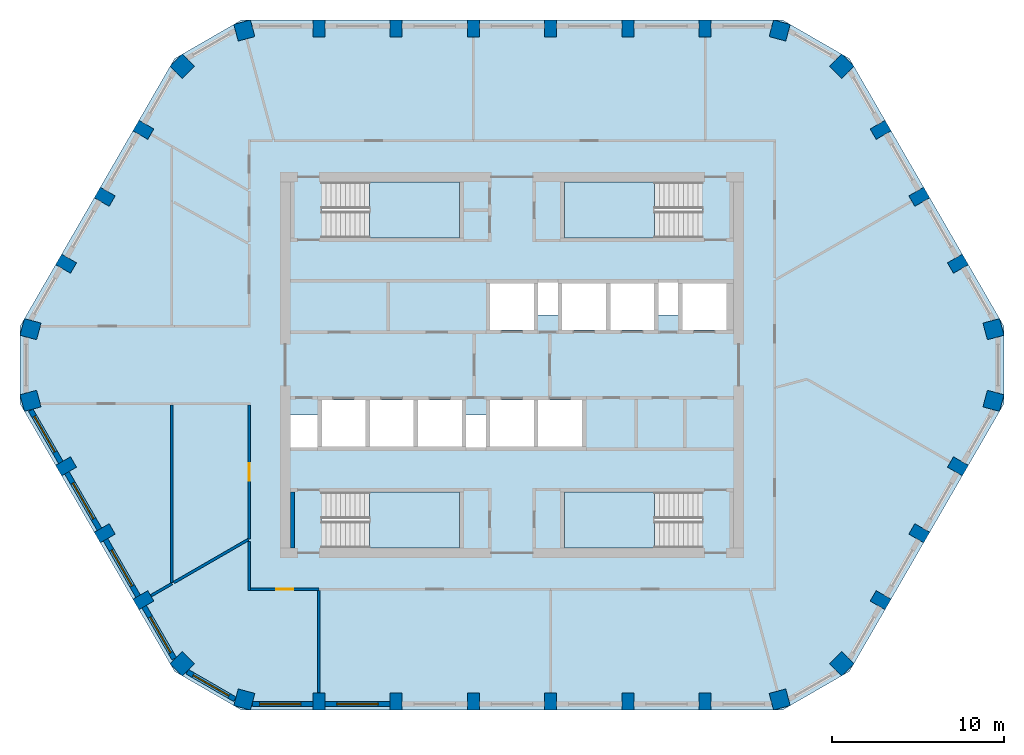
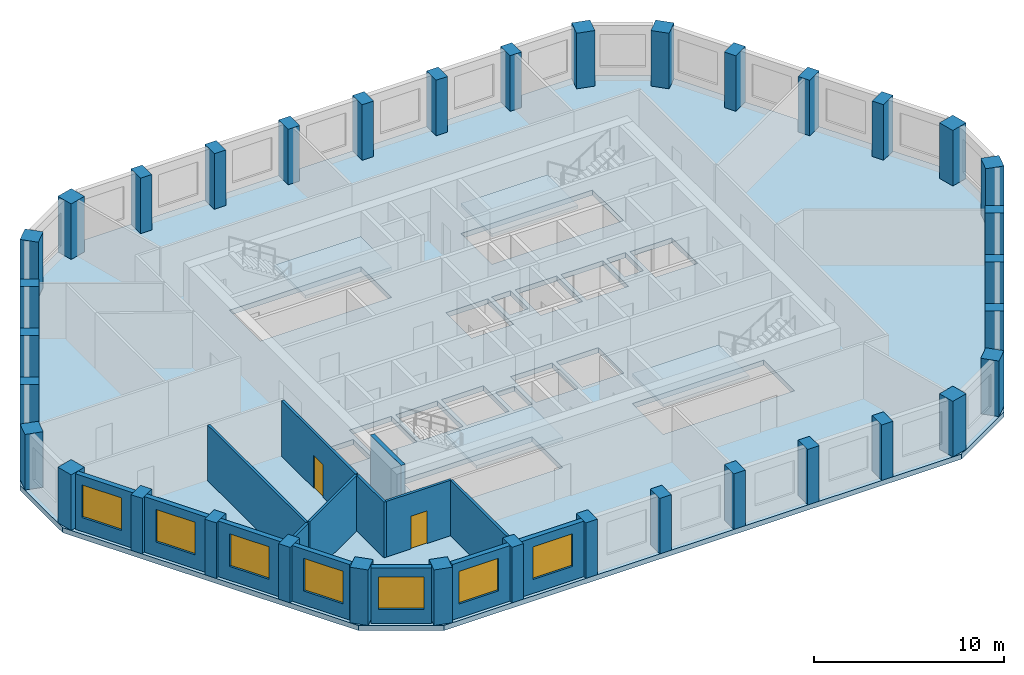
# One storey, part 1 of 7: 36 columns, 15 walls, 7 windows, 5 slabs, 2 doors, 9 openings, 4 elements without a shape of their own.
"""IFC4 building model written with IfcOpenShell, lengths in metres."""

from ifc_helpers import new_model, si_unit, direction, frame, frame_2d, origin, origin_2d, place, context, subcontext, project, spatial, polyline, rectangle, outline, extrude, material, layer, layer_set, material_profile, profile_set, type_object, element, fill, aggregate, save


model = new_model("IFC4")

# Units and contexts
model_context = context("Model", 3, precision=1e-05, world=origin(), true_north=direction((0.0, 1.0)))
body_context = subcontext(model_context, "Body", "Model", "MODEL_VIEW")
ifc_project = project(units=[si_unit("LENGTHUNIT", "METRE"), si_unit("AREAUNIT", "SQUARE_METRE"), si_unit("VOLUMEUNIT", "CUBIC_METRE"), si_unit("PLANEANGLEUNIT", "RADIAN"), si_unit("MASSUNIT", "GRAM", prefix="KILO")], contexts=[model_context])

# Site, building, storey
site_placement = place(None, origin())
site = spatial("IfcSite", under=ifc_project, at=site_placement, CompositionType="ELEMENT")
building_placement = place(site_placement, origin())
building = spatial("IfcBuilding", under=site, at=building_placement, Name="Dhurran Vertical Campus", CompositionType="ELEMENT")
storey_placement = place(building_placement, frame((0.0, 0.0, 266.39990234375)))
storey = spatial("IfcBuildingStorey", under=building, at=storey_placement, Name="L66", CompositionType="ELEMENT", Elevation=266.39990234375)

# Columns
ifc_material_1 = material(Name="Concrete C50/60", Category="concrete")
ifc_material_profile_1 = material_profile(ifc_material_1, rectangle(XDim=1.0, YDim=1.0, at=origin_2d()), Name="RC 1000x1000")
ifc_profile_set_1 = profile_set([ifc_material_profile_1], Name="Concrete C50/60")
column_type_1 = type_object("IfcColumnType", Name="FR COL RC 1000x1000 C50/60", PredefinedType="COLUMN", material=ifc_profile_set_1)
for number, where, z_axis, x_axis, name in (
    (1, (-15.5859375, -19.47607421875, 0.0), (0.0, 0.0, 1.0), (0.965925826289, -0.258819045103, 0.0), "Perimeter pier PP5.00"),
    (2, (15.5859375, -19.47607421875, 0.0), (0.0, 0.0, 1.0), (0.965925826289, 0.258819045103, 0.0), "Perimeter pier PP5.07"),
    (3, (19.19873046875, -17.39013671875, 0.0), (0.0, 0.0, 1.0), (0.707106781187, 0.707106781187, 0.0), "Perimeter pier PP5.08"),
    (4, (28.03466796875, -2.0859375, 0.0), (0.0, 0.0, 1.0), (0.258819045103, 0.965925826289, 0.0), "Perimeter pier PP5.12"),
    (5, (28.03466796875, 2.0859375, 0.0), (0.0, 0.0, 1.0), (-0.258819045103, 0.965925826289, 0.0), "Perimeter pier PP5.13"),
    (6, (19.19873046875, 17.39013671875, 0.0), (0.0, 0.0, 1.0), (-0.707106781187, 0.707106781187, 0.0), "Perimeter pier PP5.17"),
    (7, (15.5859375, 19.47607421875, 0.0), (0.0, 0.0, 1.0), (-0.965925826289, 0.258819045103, 0.0), "Perimeter pier PP5.18"),
    (8, (-15.5859375, 19.47607421875, 0.0), (0.0, 0.0, 1.0), (-0.965925826289, -0.258819045103, 0.0), "Perimeter pier PP5.25"),
    (9, (-19.19873046875, 17.39013671875, 0.0), (0.0, 0.0, 1.0), (-0.707106781187, -0.707106781187, 0.0), "Perimeter pier PP5.26"),
    (10, (-28.03466796875, 2.0859375, 0.0), (0.0, 0.0, 1.0), (-0.258819045103, -0.965925826289, 0.0), "Perimeter pier PP5.30"),
    (11, (-28.03466796875, -2.0859375, 0.0), (0.0, 0.0, 1.0), (0.258819045103, -0.965925826289, 0.0), "Perimeter pier PP5.31"),
    (12, (-19.19873046875, -17.39013671875, 0.0), (0.0, 0.0, 1.0), (0.707106781187, -0.707106781187, 0.0), "Perimeter pier PP5.35"),
):
    element("IfcColumn", number, at=place(storey_placement, frame(where, z_axis=z_axis, x_axis=x_axis)), inside=storey, type_object=column_type_1, Name=name, PredefinedType="COLUMN", context=body_context, shape_type="SweptSolid", body=[
        extrude(rectangle(XDim=1.0, YDim=1.0, at=origin_2d()), origin(), (0.0, 0.0, 1.0), 3.5751953125),
    ])
ifc_material_2 = material(Name="Concrete C50/60", Category="concrete")
ifc_material_profile_2 = material_profile(ifc_material_2, rectangle(XDim=0.699951171875, YDim=1.0, at=origin_2d()), Name="RC 700x1000")
ifc_profile_set_2 = profile_set([ifc_material_profile_2], Name="Concrete C50/60")
column_type_2 = type_object("IfcColumnType", Name="FR COL RC 700x1000 C50/60", PredefinedType="COLUMN", material=ifc_profile_set_2)
for number, where, z_axis, x_axis, name in (
    (13, (-11.25, -19.58837890625, 0.0), (0.0, 0.0, 1.0), (1.0, 0.0, 0.0), "Perimeter pier PP5.01"),
    (14, (-6.75, -19.58837890625, 0.0), (0.0, 0.0, 1.0), (1.0, 0.0, 0.0), "Perimeter pier PP5.02"),
    (15, (-2.25, -19.58837890625, 0.0), (0.0, 0.0, 1.0), (1.0, 0.0, 0.0), "Perimeter pier PP5.03"),
    (16, (2.25, -19.58837890625, 0.0), (0.0, 0.0, 1.0), (1.0, 0.0, 0.0), "Perimeter pier PP5.04"),
    (17, (6.75, -19.58837890625, 0.0), (0.0, 0.0, 1.0), (1.0, 0.0, 0.0), "Perimeter pier PP5.05"),
    (18, (11.25, -19.58837890625, 0.0), (0.0, 0.0, 1.0), (1.0, 0.0, 0.0), "Perimeter pier PP5.06"),
    (19, (21.464111328125, -13.69140625, 0.0), (0.0, 0.0, 1.0), (0.5, 0.866025403784, 0.0), "Perimeter pier PP5.09"),
    (20, (23.714111328125, -9.794189453125, 0.0), (0.0, 0.0, 1.0), (0.5, 0.866025403784, 0.0), "Perimeter pier PP5.10"),
    (21, (25.964111328125, -5.897216796875, 0.0), (0.0, 0.0, 1.0), (0.5, 0.866025403784, 0.0), "Perimeter pier PP5.11"),
    (22, (25.964111328125, 5.897216796875, 0.0), (0.0, 0.0, 1.0), (-0.5, 0.866025403784, 0.0), "Perimeter pier PP5.14"),
    (23, (23.714111328125, 9.794189453125, 0.0), (0.0, 0.0, 1.0), (-0.5, 0.866025403784, 0.0), "Perimeter pier PP5.15"),
    (24, (21.464111328125, 13.69140625, 0.0), (0.0, 0.0, 1.0), (-0.5, 0.866025403784, 0.0), "Perimeter pier PP5.16"),
    (25, (11.25, 19.58837890625, 0.0), (0.0, 0.0, 1.0), (-1.0, 0.0, 0.0), "Perimeter pier PP5.19"),
    (26, (6.75, 19.58837890625, 0.0), (0.0, 0.0, 1.0), (-1.0, 0.0, 0.0), "Perimeter pier PP5.20"),
    (27, (2.25, 19.58837890625, 0.0), (0.0, 0.0, 1.0), (-1.0, 0.0, 0.0), "Perimeter pier PP5.21"),
    (28, (-2.25, 19.58837890625, 0.0), (0.0, 0.0, 1.0), (-1.0, 0.0, 0.0), "Perimeter pier PP5.22"),
    (29, (-6.75, 19.58837890625, 0.0), (0.0, 0.0, 1.0), (-1.0, 0.0, 0.0), "Perimeter pier PP5.23"),
    (30, (-11.25, 19.58837890625, 0.0), (0.0, 0.0, 1.0), (-1.0, 0.0, 0.0), "Perimeter pier PP5.24"),
    (31, (-21.464111328125, 13.69140625, 0.0), (0.0, 0.0, 1.0), (-0.5, -0.866025403784, 0.0), "Perimeter pier PP5.27"),
    (32, (-23.714111328125, 9.794189453125, 0.0), (0.0, 0.0, 1.0), (-0.5, -0.866025403784, 0.0), "Perimeter pier PP5.28"),
    (33, (-25.964111328125, 5.897216796875, 0.0), (0.0, 0.0, 1.0), (-0.5, -0.866025403784, 0.0), "Perimeter pier PP5.29"),
    (34, (-25.964111328125, -5.897216796875, 0.0), (0.0, 0.0, 1.0), (0.5, -0.866025403784, 0.0), "Perimeter pier PP5.32"),
    (35, (-23.714111328125, -9.794189453125, 0.0), (0.0, 0.0, 1.0), (0.5, -0.866025403784, 0.0), "Perimeter pier PP5.33"),
    (36, (-21.464111328125, -13.69140625, 0.0), (0.0, 0.0, 1.0), (0.5, -0.866025403784, 0.0), "Perimeter pier PP5.34"),
):
    element("IfcColumn", number, at=place(storey_placement, frame(where, z_axis=z_axis, x_axis=x_axis)), inside=storey, type_object=column_type_2, Name=name, PredefinedType="COLUMN", context=body_context, shape_type="SweptSolid", body=[
        extrude(rectangle(XDim=0.699951171875, YDim=1.0, at=origin_2d()), origin(), (0.0, 0.0, 1.0), 3.5751953125),
    ])

# Slab
ifc_material_3 = material(Name="Concrete C40/50", Category="concrete")
ifc_layer_1 = layer(ifc_material_3, 0.324951171875)
ifc_layer_set_1 = layer_set([ifc_layer_1], Name="Concrete C40/50")
slab_type_1 = type_object("IfcSlabType", Name="FR POST-TENSIONED FLAT SLAB 325", PredefinedType="FLOOR", material=ifc_layer_set_1)
slab_1_placement = place(storey_placement, frame((0.0, 0.0, -0.324951171875)))
element("IfcSlab", 37, at=slab_1_placement, inside=storey, type_object=slab_type_1, Name="Floor slab L66", PredefinedType="FLOOR", context=body_context, shape_type="SweptSolid", body=[
    extrude(outline(polyline([(-15.75, -20.08837890625), (15.75, -20.08837890625), (19.647216796875, -17.83837890625), (28.647216796875, -2.25), (28.647216796875, 2.25), (19.647216796875, 17.83837890625), (15.75, 20.08837890625), (-15.75, 20.08837890625), (-19.647216796875, 17.83837890625), (-28.647216796875, 2.25), (-28.647216796875, -2.25), (-19.647216796875, -17.83837890625), (-15.75, -20.08837890625)]), holes=[polyline([(-1.27490234375, 2.050048828125), (1.27490234375, 2.050048828125), (1.27490234375, 4.75), (-1.27490234375, 4.75), (-1.27490234375, 2.050048828125)]), polyline([(9.925048828125, 2.050048828125), (12.47509765625, 2.050048828125), (12.47509765625, 4.75), (9.925048828125, 4.75), (9.925048828125, 2.050048828125)]), polyline([(-1.27490234375, -4.75), (1.27490234375, -4.75), (1.27490234375, -2.050048828125), (-1.27490234375, -2.050048828125), (-1.27490234375, -4.75)]), polyline([(1.52490234375, -4.75), (4.074951171875, -4.75), (4.074951171875, -2.050048828125), (1.52490234375, -2.050048828125), (1.52490234375, -4.75)]), polyline([(2.925048828125, 2.050048828125), (5.47509765625, 2.050048828125), (5.47509765625, 4.75), (2.925048828125, 4.75), (2.925048828125, 2.050048828125)]), polyline([(5.72509765625, 2.050048828125), (8.27490234375, 2.050048828125), (8.27490234375, 4.75), (5.72509765625, 4.75), (5.72509765625, 2.050048828125)]), polyline([(-11.074951171875, -4.75), (-8.52490234375, -4.75), (-8.52490234375, -2.050048828125), (-11.074951171875, -2.050048828125), (-11.074951171875, -4.75)]), polyline([(-8.27490234375, -4.75), (-5.72509765625, -4.75), (-5.72509765625, -2.050048828125), (-8.27490234375, -2.050048828125), (-8.27490234375, -4.75)]), polyline([(-5.47509765625, -4.75), (-2.925048828125, -4.75), (-2.925048828125, -2.050048828125), (-5.47509765625, -2.050048828125), (-5.47509765625, -4.75)]), polyline([(-11.050048828125, 7.39990234375), (-3.050048828125, 7.39990234375), (-3.050048828125, 10.64990234375), (-11.050048828125, 10.64990234375), (-11.050048828125, 7.39990234375)]), polyline([(3.050048828125, 7.39990234375), (11.050048828125, 7.39990234375), (11.050048828125, 10.64990234375), (3.050048828125, 10.64990234375), (3.050048828125, 7.39990234375)]), polyline([(-11.050048828125, -10.64990234375), (-3.050048828125, -10.64990234375), (-3.050048828125, -7.39990234375), (-11.050048828125, -7.39990234375), (-11.050048828125, -10.64990234375)]), polyline([(3.050048828125, -10.64990234375), (11.050048828125, -10.64990234375), (11.050048828125, -7.39990234375), (3.050048828125, -7.39990234375), (3.050048828125, -10.64990234375)]), polyline([(2.675048828125, 2.89990234375), (1.52490234375, 2.89990234375), (1.52490234375, 4.800048828125), (2.675048828125, 4.800048828125), (2.675048828125, 2.89990234375)]), polyline([(-12.89990234375, -2.89990234375), (-11.324951171875, -2.89990234375), (-11.324951171875, -4.800048828125), (-12.89990234375, -4.800048828125), (-12.89990234375, -2.89990234375)]), polyline([(-2.675048828125, -2.89990234375), (-1.52490234375, -2.89990234375), (-1.52490234375, -4.800048828125), (-2.675048828125, -4.800048828125), (-2.675048828125, -2.89990234375)]), polyline([(9.675048828125, 2.89990234375), (8.52490234375, 2.89990234375), (8.52490234375, 4.800048828125), (9.675048828125, 4.800048828125), (9.675048828125, 2.89990234375)])]), origin(), (0.0, 0.0, 1.0), 0.324951171875),
])

# Stair, slab
ifc_material_4 = material(Name="Concrete C40/50", Category="concrete")
stair_type = type_object("IfcStairType", Name="co-ST-CORE", PredefinedType="HALF_TURN_STAIR", material=ifc_material_4)
stair_1_placement = place(storey_placement, origin())
stair_1 = element("IfcStair", 38, at=stair_1_placement, inside=storey, type_object=stair_type, Name="L66 Protected exit stair ST1", PredefinedType="HALF_TURN_STAIR")
ifc_material_5 = material(Name="Concrete C40/50", Category="concrete")
ifc_layer_2 = layer(ifc_material_5, 0.199951171875)
ifc_layer_set_2 = layer_set([ifc_layer_2], Name="Concrete C40/50")
slab_type_2 = type_object("IfcSlabType", Name="co-SL-LANDING", PredefinedType="LANDING", material=ifc_layer_set_2)
slab_2_placement = place(storey_placement, frame((0.0, 0.0, 1.75)))
slab_2 = element("IfcSlab", 39, at=slab_2_placement, type_object=slab_type_2, Name="ST1 landing 1", PredefinedType="LANDING", context=body_context, shape_type="SweptSolid", body=[
    extrude(outline(polyline([(-8.300048828125, 7.39990234375), (-3.050048828125, 7.39990234375), (-3.050048828125, 10.64990234375), (-8.300048828125, 10.64990234375), (-8.300048828125, 7.39990234375)])), origin(), (0.0, 0.0, 1.0), 0.2001953125),
])
aggregate(stair_1, [slab_2])

stair_2_placement = place(storey_placement, origin())
stair_2 = element("IfcStair", 40, at=stair_2_placement, inside=storey, type_object=stair_type, Name="L66 Protected exit stair ST2", PredefinedType="HALF_TURN_STAIR")
slab_3_placement = place(storey_placement, frame((0.0, 0.0, 1.75)))
slab_3 = element("IfcSlab", 41, at=slab_3_placement, type_object=slab_type_2, Name="ST2 landing 1", PredefinedType="LANDING", context=body_context, shape_type="SweptSolid", body=[
    extrude(outline(polyline([(8.300048828125, 10.64990234375), (3.050048828125, 10.64990234375), (3.050048828125, 7.39990234375), (8.300048828125, 7.39990234375), (8.300048828125, 10.64990234375)])), origin(), (0.0, 0.0, 1.0), 0.2001953125),
])
aggregate(stair_2, [slab_3])

stair_3_placement = place(storey_placement, origin())
stair_3 = element("IfcStair", 42, at=stair_3_placement, inside=storey, type_object=stair_type, Name="L66 Protected exit stair ST3", PredefinedType="HALF_TURN_STAIR")
slab_4_placement = place(storey_placement, frame((0.0, 0.0, 1.75)))
slab_4 = element("IfcSlab", 43, at=slab_4_placement, type_object=slab_type_2, Name="ST3 landing 1", PredefinedType="LANDING", context=body_context, shape_type="SweptSolid", body=[
    extrude(outline(polyline([(-8.300048828125, -10.64990234375), (-3.050048828125, -10.64990234375), (-3.050048828125, -7.39990234375), (-8.300048828125, -7.39990234375), (-8.300048828125, -10.64990234375)])), origin(), (0.0, 0.0, 1.0), 0.2001953125),
])
aggregate(stair_3, [slab_4])

stair_4_placement = place(storey_placement, origin())
stair_4 = element("IfcStair", 44, at=stair_4_placement, inside=storey, type_object=stair_type, Name="L66 Protected exit stair ST4", PredefinedType="HALF_TURN_STAIR")
slab_5_placement = place(storey_placement, frame((0.0, 0.0, 1.75)))
slab_5 = element("IfcSlab", 45, at=slab_5_placement, type_object=slab_type_2, Name="ST4 landing 1", PredefinedType="LANDING", context=body_context, shape_type="SweptSolid", body=[
    extrude(outline(polyline([(8.300048828125, -7.39990234375), (3.050048828125, -7.39990234375), (3.050048828125, -10.64990234375), (8.300048828125, -10.64990234375), (8.300048828125, -7.39990234375)])), origin(), (0.0, 0.0, 1.0), 0.2001953125),
])
aggregate(stair_4, [slab_5])

# Wall, opening, window
ifc_material_6 = material(Name="Precast concrete C50/60", Category="concrete")
ifc_layer_3 = layer(ifc_material_6, 0.300048828125)
ifc_layer_set_3 = layer_set([ifc_layer_3], Name="Precast concrete C50/60")
wall_type_1 = type_object("IfcWallType", Name="Precast spandrel wall 300", PredefinedType="SOLIDWALL", material=ifc_layer_set_3)
wall_1_placement = place(storey_placement, frame((-15.09814453125, -19.738525390625, 0.0), z_axis=(0.0, 0.0, 1.0), x_axis=(1.0, 0.0, 0.0)))
wall_1 = element("IfcWall", 46, at=wall_1_placement, inside=storey, type_object=wall_type_1, Name="EW1 L66.00", PredefinedType="SOLIDWALL", context=body_context, shape_type="SweptSolid", body=[
    extrude(rectangle(XDim=3.49755859375, YDim=0.300048828125, at=frame_2d((1.748779296875, 0.0))), origin(), (0.0, 0.0, 1.0), 3.5751953125),
])
opening_1_placement = place(wall_1_placement, frame((0.398193359375, 0.0, 0.89990234375)))
opening_1 = element("IfcOpeningElement", 47, at=opening_1_placement, cuts=wall_1, Name="Opening WT1", PredefinedType="OPENING", context=body_context, shape_type="SweptSolid", body=[
    extrude(rectangle(XDim=2.39990234375, YDim=2.10009765625, at=frame_2d((1.199951171875, 1.050048828125))), frame((0.0, 0.159912109375, 0.0), z_axis=(0.0, -1.0, 0.0), x_axis=(1.0, 0.0, 0.0)), (0.0, 0.0, 1.0), 0.320068359375),
])
ifc_material_7 = material(Name="Aluminium frame with solar-control glass", Category="aluminium")
window_type = type_object("IfcWindowType", Name="Punched window 2400 x 2100", PartitioningType="SINGLE_PANEL", PredefinedType="WINDOW", material=ifc_material_7)
window_1_placement = place(opening_1_placement, origin())
window_1 = element("IfcWindow", 48, at=window_1_placement, inside=storey, type_object=window_type, Name="WT1 L66.00", OverallHeight=2.10009765625, OverallWidth=2.39990234375, PartitioningType="SINGLE_PANEL", PredefinedType="WINDOW", context=body_context, shape_type="SweptSolid", body=[
    extrude(rectangle(XDim=2.39990234375, YDim=2.10009765625, at=frame_2d((1.199951171875, 1.050048828125))), frame((0.0, 0.030029296875, 0.0), z_axis=(0.0, -1.0, 0.0), x_axis=(1.0, 0.0, 0.0)), (0.0, 0.0, 1.0), 0.06005859375),
])
fill(opening_1, window_1)

wall_2_placement = place(storey_placement, frame((-10.8994140625, -19.738525390625, 0.0), z_axis=(0.0, 0.0, 1.0), x_axis=(1.0, 0.0, 0.0)))
wall_2 = element("IfcWall", 49, at=wall_2_placement, inside=storey, type_object=wall_type_1, Name="EW1 L66.01", PredefinedType="SOLIDWALL", context=body_context, shape_type="SweptSolid", body=[
    extrude(rectangle(XDim=3.798828125, YDim=0.300048828125, at=frame_2d((1.8994140625, 0.0))), origin(), (0.0, 0.0, 1.0), 3.5751953125),
])
opening_2_placement = place(wall_2_placement, frame((0.699462890625, 0.0, 0.89990234375)))
opening_2 = element("IfcOpeningElement", 50, at=opening_2_placement, cuts=wall_2, Name="Opening WT1", PredefinedType="OPENING", context=body_context, shape_type="SweptSolid", body=[
    extrude(rectangle(XDim=2.39990234375, YDim=2.10009765625, at=frame_2d((1.199951171875, 1.050048828125))), frame((0.0, 0.159912109375, 0.0), z_axis=(0.0, -1.0, 0.0), x_axis=(1.0, 0.0, 0.0)), (0.0, 0.0, 1.0), 0.320068359375),
])
window_2_placement = place(opening_2_placement, origin())
window_2 = element("IfcWindow", 51, at=window_2_placement, inside=storey, type_object=window_type, Name="WT1 L66.01", OverallHeight=2.10009765625, OverallWidth=2.39990234375, PartitioningType="SINGLE_PANEL", PredefinedType="WINDOW", context=body_context, shape_type="SweptSolid", body=[
    extrude(rectangle(XDim=2.39990234375, YDim=2.10009765625, at=frame_2d((1.199951171875, 1.050048828125))), frame((0.0, 0.030029296875, 0.0), z_axis=(0.0, -1.0, 0.0), x_axis=(1.0, 0.0, 0.0)), (0.0, 0.0, 1.0), 0.06005859375),
])
fill(opening_2, window_2)

wall_3_placement = place(storey_placement, frame((-28.01806640625, -2.6396484375, 0.0), z_axis=(0.0, 0.0, 1.0), x_axis=(0.499990325971, -0.866030989016, 0.0)))
wall_3 = element("IfcWall", 52, at=wall_3_placement, inside=storey, type_object=wall_type_1, Name="EW1 L66.31", PredefinedType="SOLIDWALL", context=body_context, shape_type="SweptSolid", body=[
    extrude(rectangle(XDim=3.49755859375, YDim=0.300048828125, at=frame_2d((1.748779296875, 0.0))), origin(), (0.0, 0.0, 1.0), 3.5751953125),
])
opening_3_placement = place(wall_3_placement, frame((0.398193359375, 0.0, 0.89990234375)))
opening_3 = element("IfcOpeningElement", 53, at=opening_3_placement, cuts=wall_3, Name="Opening WT1", PredefinedType="OPENING", context=body_context, shape_type="SweptSolid", body=[
    extrude(rectangle(XDim=2.39990234375, YDim=2.10009765625, at=frame_2d((1.199951171875, 1.050048828125))), frame((0.0, 0.159912109375, 0.0), z_axis=(0.0, -1.0, 0.0), x_axis=(1.0, 0.0, 0.0)), (0.0, 0.0, 1.0), 0.320068359375),
])
window_3_placement = place(opening_3_placement, origin())
window_3 = element("IfcWindow", 54, at=window_3_placement, inside=storey, type_object=window_type, Name="WT1 L66.31", OverallHeight=2.10009765625, OverallWidth=2.39990234375, PartitioningType="SINGLE_PANEL", PredefinedType="WINDOW", context=body_context, shape_type="SweptSolid", body=[
    extrude(rectangle(XDim=2.39990234375, YDim=2.10009765625, at=frame_2d((1.199951171875, 1.050048828125))), frame((0.0, 0.030029296875, 0.0), z_axis=(0.0, -1.0, 0.0), x_axis=(1.0, 0.0, 0.0)), (0.0, 0.0, 1.0), 0.06005859375),
])
fill(opening_3, window_3)

wall_4_placement = place(storey_placement, frame((-25.918701171875, -6.275634765625, 0.0), z_axis=(0.0, 0.0, 1.0), x_axis=(0.499982058975, -0.866035761792, 0.0)))
wall_4 = element("IfcWall", 55, at=wall_4_placement, inside=storey, type_object=wall_type_1, Name="EW1 L66.32", PredefinedType="SOLIDWALL", context=body_context, shape_type="SweptSolid", body=[
    extrude(rectangle(XDim=3.799072265625, YDim=0.300048828125, at=frame_2d((1.8994140625, 0.0))), origin(), (0.0, 0.0, 1.0), 3.5751953125),
])
opening_4_placement = place(wall_4_placement, frame((0.699462890625, 0.0, 0.89990234375)))
opening_4 = element("IfcOpeningElement", 56, at=opening_4_placement, cuts=wall_4, Name="Opening WT1", PredefinedType="OPENING", context=body_context, shape_type="SweptSolid", body=[
    extrude(rectangle(XDim=2.39990234375, YDim=2.10009765625, at=frame_2d((1.199951171875, 1.050048828125))), frame((0.0, 0.159912109375, 0.0), z_axis=(0.0, -1.0, 0.0), x_axis=(1.0, 0.0, 0.0)), (0.0, 0.0, 1.0), 0.320068359375),
])
window_4_placement = place(opening_4_placement, origin())
window_4 = element("IfcWindow", 57, at=window_4_placement, inside=storey, type_object=window_type, Name="WT1 L66.32", OverallHeight=2.10009765625, OverallWidth=2.39990234375, PartitioningType="SINGLE_PANEL", PredefinedType="WINDOW", context=body_context, shape_type="SweptSolid", body=[
    extrude(rectangle(XDim=2.39990234375, YDim=2.10009765625, at=frame_2d((1.199951171875, 1.050048828125))), frame((0.0, 0.030029296875, 0.0), z_axis=(0.0, -1.0, 0.0), x_axis=(1.0, 0.0, 0.0)), (0.0, 0.0, 1.0), 0.06005859375),
])
fill(opening_4, window_4)

wall_5_placement = place(storey_placement, frame((-23.668701171875, -10.1728515625, 0.0), z_axis=(0.0, 0.0, 1.0), x_axis=(0.499982058975, -0.866035761792, 0.0)))
wall_5 = element("IfcWall", 58, at=wall_5_placement, inside=storey, type_object=wall_type_1, Name="EW1 L66.33", PredefinedType="SOLIDWALL", context=body_context, shape_type="SweptSolid", body=[
    extrude(rectangle(XDim=3.799072265625, YDim=0.300048828125, at=frame_2d((1.8994140625, 0.0))), origin(), (0.0, 0.0, 1.0), 3.5751953125),
])
opening_5_placement = place(wall_5_placement, frame((0.699462890625, 0.0, 0.89990234375)))
opening_5 = element("IfcOpeningElement", 59, at=opening_5_placement, cuts=wall_5, Name="Opening WT1", PredefinedType="OPENING", context=body_context, shape_type="SweptSolid", body=[
    extrude(rectangle(XDim=2.39990234375, YDim=2.10009765625, at=frame_2d((1.199951171875, 1.050048828125))), frame((0.0, 0.159912109375, 0.0), z_axis=(0.0, -1.0, 0.0), x_axis=(1.0, 0.0, 0.0)), (0.0, 0.0, 1.0), 0.320068359375),
])
window_5_placement = place(opening_5_placement, origin())
window_5 = element("IfcWindow", 60, at=window_5_placement, inside=storey, type_object=window_type, Name="WT1 L66.33", OverallHeight=2.10009765625, OverallWidth=2.39990234375, PartitioningType="SINGLE_PANEL", PredefinedType="WINDOW", context=body_context, shape_type="SweptSolid", body=[
    extrude(rectangle(XDim=2.39990234375, YDim=2.10009765625, at=frame_2d((1.199951171875, 1.050048828125))), frame((0.0, 0.030029296875, 0.0), z_axis=(0.0, -1.0, 0.0), x_axis=(1.0, 0.0, 0.0)), (0.0, 0.0, 1.0), 0.06005859375),
])
fill(opening_5, window_5)

wall_6_placement = place(storey_placement, frame((-21.418701171875, -14.06982421875, 0.0), z_axis=(0.0, 0.0, 1.0), x_axis=(0.499960102815, -0.866048437209, 0.0)))
wall_6 = element("IfcWall", 61, at=wall_6_placement, inside=storey, type_object=wall_type_1, Name="EW1 L66.34", PredefinedType="SOLIDWALL", context=body_context, shape_type="SweptSolid", body=[
    extrude(rectangle(XDim=3.497802734375, YDim=0.300048828125, at=frame_2d((1.7490234375, 0.0))), origin(), (0.0, 0.0, 1.0), 3.5751953125),
])
opening_6_placement = place(wall_6_placement, frame((0.699462890625, 0.0, 0.89990234375)))
opening_6 = element("IfcOpeningElement", 62, at=opening_6_placement, cuts=wall_6, Name="Opening WT1", PredefinedType="OPENING", context=body_context, shape_type="SweptSolid", body=[
    extrude(rectangle(XDim=2.39990234375, YDim=2.10009765625, at=frame_2d((1.199951171875, 1.050048828125))), frame((0.0, 0.159912109375, 0.0), z_axis=(0.0, -1.0, 0.0), x_axis=(1.0, 0.0, 0.0)), (0.0, 0.0, 1.0), 0.320068359375),
])
window_6_placement = place(opening_6_placement, origin())
window_6 = element("IfcWindow", 63, at=window_6_placement, inside=storey, type_object=window_type, Name="WT1 L66.34", OverallHeight=2.10009765625, OverallWidth=2.39990234375, PartitioningType="SINGLE_PANEL", PredefinedType="WINDOW", context=body_context, shape_type="SweptSolid", body=[
    extrude(rectangle(XDim=2.39990234375, YDim=2.10009765625, at=frame_2d((1.199951171875, 1.050048828125))), frame((0.0, 0.030029296875, 0.0), z_axis=(0.0, -1.0, 0.0), x_axis=(1.0, 0.0, 0.0)), (0.0, 0.0, 1.0), 0.06005859375),
])
fill(opening_6, window_6)

wall_7_placement = place(storey_placement, frame((-18.90771484375, -17.861328125, 0.0), z_axis=(0.0, 0.0, 1.0), x_axis=(0.866025316205, -0.500000151692, 0.0)))
wall_7 = element("IfcWall", 64, at=wall_7_placement, inside=storey, type_object=wall_type_1, Name="EW1 L66.35", PredefinedType="SOLIDWALL", context=body_context, shape_type="SweptSolid", body=[
    extrude(rectangle(XDim=3.1962890625, YDim=0.300048828125, at=frame_2d((1.59814453125, 0.0))), origin(), (0.0, 0.0, 1.0), 3.5751953125),
])
opening_7_placement = place(wall_7_placement, frame((0.398193359375, 0.0, 0.89990234375)))
opening_7 = element("IfcOpeningElement", 65, at=opening_7_placement, cuts=wall_7, Name="Opening WT1", PredefinedType="OPENING", context=body_context, shape_type="SweptSolid", body=[
    extrude(rectangle(XDim=2.39990234375, YDim=2.10009765625, at=frame_2d((1.199951171875, 1.050048828125))), frame((0.0, 0.159912109375, 0.0), z_axis=(0.0, -1.0, 0.0), x_axis=(1.0, 0.0, 0.0)), (0.0, 0.0, 1.0), 0.320068359375),
])
window_7_placement = place(opening_7_placement, origin())
window_7 = element("IfcWindow", 66, at=window_7_placement, inside=storey, type_object=window_type, Name="WT1 L66.35", OverallHeight=2.10009765625, OverallWidth=2.39990234375, PartitioningType="SINGLE_PANEL", PredefinedType="WINDOW", context=body_context, shape_type="SweptSolid", body=[
    extrude(rectangle(XDim=2.39990234375, YDim=2.10009765625, at=frame_2d((1.199951171875, 1.050048828125))), frame((0.0, 0.030029296875, 0.0), z_axis=(0.0, -1.0, 0.0), x_axis=(1.0, 0.0, 0.0)), (0.0, 0.0, 1.0), 0.06005859375),
])
fill(opening_7, window_7)

# Walls
ifc_material_8 = material(Name="Concrete C40/50", Category="concrete")
ifc_layer_4 = layer(ifc_material_8, 0.25)
ifc_layer_set_4 = layer_set([ifc_layer_4], Name="Concrete C40/50")
wall_type_2 = type_object("IfcWallType", Name="co-STAIR-WALL-250", PredefinedType="SHEAR", material=ifc_layer_set_4)
wall_8_placement = place(storey_placement, frame((-12.77490234375, -10.64990234375, 0.0), z_axis=(0.0, 0.0, 1.0), x_axis=(0.0, 1.0, 0.0)))
element("IfcWall", 67, at=wall_8_placement, inside=storey, type_object=wall_type_2, Name="Stair ST3 enclosure wall L66", PredefinedType="SHEAR", context=body_context, shape_type="SweptSolid", body=[
    extrude(rectangle(XDim=3.25, YDim=0.25, at=frame_2d((1.625, 0.0))), origin(), (0.0, 0.0, 1.0), 3.5751953125),
])
ifc_material_9 = material(Name="Gypsum board corridor wall on steel studs", Category="steel")
ifc_layer_5 = layer(ifc_material_9, 0.14990234375)
ifc_layer_set_5 = layer_set([ifc_layer_5], Name="Gypsum board corridor wall on steel studs")
wall_type_3 = type_object("IfcWallType", Name="fl-CW-150 corridor wall", PredefinedType="PARTITIONING", material=ifc_layer_set_5)
wall_9_placement = place(storey_placement, frame((-15.300048828125, -10.261962890625, 0.0), z_axis=(0.0, 0.0, 1.0), x_axis=(0.0, -1.0, 0.0)))
element("IfcWall", 68, at=wall_9_placement, inside=storey, type_object=wall_type_3, Name="Partition 66-14", PredefinedType="PARTITIONING", context=body_context, shape_type="SweptSolid", body=[
    extrude(rectangle(XDim=2.863037109375, YDim=0.14990234375, at=frame_2d((1.431640625, 0.0))), origin(), (0.0, 0.0, 1.0), 3.5751953125),
])

# Wall, opening, door
wall_10_placement = place(storey_placement, frame((-15.22509765625, -13.050048828125, 0.0), z_axis=(0.0, 0.0, 1.0), x_axis=(1.0, 0.0, 0.0)))
wall_10 = element("IfcWall", 69, at=wall_10_placement, inside=storey, type_object=wall_type_3, Name="Partition 66-15", PredefinedType="PARTITIONING", context=body_context, shape_type="SweptSolid", body=[
    extrude(rectangle(XDim=3.97509765625, YDim=0.14990234375, at=frame_2d((1.987548828125, 0.0))), origin(), (0.0, 0.0, 1.0), 3.5751953125),
])
opening_8_placement = place(wall_10_placement, frame((1.487548828125, 0.0, 0.0)))
opening_8 = element("IfcOpeningElement", 70, at=opening_8_placement, cuts=wall_10, Name="Opening T19.07", PredefinedType="OPENING", context=body_context, shape_type="SweptSolid", body=[
    extrude(rectangle(XDim=1.0, YDim=2.10009765625, at=frame_2d((0.5, 1.050048828125))), frame((0.0, 0.0849609375, 0.0), z_axis=(0.0, -1.0, 0.0), x_axis=(1.0, 0.0, 0.0)), (0.0, 0.0, 1.0), 0.169921875),
])
ifc_material_10 = material(Name="Solid-core timber door set, fire-rated", Category="wood")
door_type = type_object("IfcDoorType", Name="fl-D-1000x2100", OperationType="SINGLE_SWING_LEFT", PredefinedType="DOOR", material=ifc_material_10)
door_1_placement = place(opening_8_placement, origin())
door_1 = element("IfcDoor", 71, at=door_1_placement, inside=storey, type_object=door_type, Name="Door 66.07", OperationType="SINGLE_SWING_RIGHT", OverallHeight=2.10009765625, OverallWidth=1.0, PredefinedType="DOOR", context=body_context, shape_type="SweptSolid", body=[
    extrude(rectangle(XDim=1.0, YDim=2.10009765625, at=frame_2d((0.5, 1.050048828125))), frame((0.0, 0.02490234375, 0.0), z_axis=(0.0, -1.0, 0.0), x_axis=(1.0, 0.0, 0.0)), (0.0, 0.0, 1.0), 0.050048828125),
])
fill(opening_8, door_1)

wall_11_placement = place(storey_placement, frame((-15.300048828125, -2.324951171875, 0.0), z_axis=(0.0, 0.0, 1.0), x_axis=(0.0, -1.0, 0.0)))
wall_11 = element("IfcWall", 72, at=wall_11_placement, inside=storey, type_object=wall_type_3, Name="Partition 66-16", PredefinedType="PARTITIONING", context=body_context, shape_type="SweptSolid", body=[
    extrude(rectangle(XDim=7.80712890625, YDim=0.14990234375, at=frame_2d((3.903564453125, 0.0))), origin(), (0.0, 0.0, 1.0), 3.5751953125),
])
opening_9_placement = place(wall_11_placement, frame((3.403564453125, 0.0, 0.0)))
opening_9 = element("IfcOpeningElement", 73, at=opening_9_placement, cuts=wall_11, Name="Opening T19.04", PredefinedType="OPENING", context=body_context, shape_type="SweptSolid", body=[
    extrude(rectangle(XDim=1.0, YDim=2.10009765625, at=frame_2d((0.5, 1.050048828125))), frame((0.0, 0.0849609375, 0.0), z_axis=(0.0, -1.0, 0.0), x_axis=(1.0, 0.0, 0.0)), (0.0, 0.0, 1.0), 0.169921875),
])
door_2_placement = place(opening_9_placement, origin())
door_2 = element("IfcDoor", 74, at=door_2_placement, inside=storey, type_object=door_type, Name="Door 66.04", OperationType="SINGLE_SWING_RIGHT", OverallHeight=2.10009765625, OverallWidth=1.0, PredefinedType="DOOR", context=body_context, shape_type="SweptSolid", body=[
    extrude(rectangle(XDim=1.0, YDim=2.10009765625, at=frame_2d((0.5, 1.050048828125))), frame((0.0, 0.02490234375, 0.0), z_axis=(0.0, -1.0, 0.0), x_axis=(1.0, 0.0, 0.0)), (0.0, 0.0, 1.0), 0.050048828125),
])
fill(opening_9, door_2)

# Walls
ifc_material_11 = material(Name="Gypsum board partition on steel studs", Category="steel")
ifc_layer_6 = layer(ifc_material_11, 0.14990234375)
ifc_layer_set_6 = layer_set([ifc_layer_6], Name="Gypsum board partition on steel studs")
wall_type_4 = type_object("IfcWallType", Name="fl-PW-150 fixed partition", PredefinedType="PARTITIONING", material=ifc_layer_set_6)
wall_12_placement = place(storey_placement, frame((-19.800048828125, -12.72998046875, 0.0), z_axis=(0.0, 0.0, 1.0), x_axis=(-0.865918715181, -0.500184744569, 0.0)))
element("IfcWall", 75, at=wall_12_placement, inside=storey, type_object=wall_type_4, Name="Partition 66-03", PredefinedType="PARTITIONING", context=body_context, shape_type="SweptSolid", body=[
    extrude(rectangle(XDim=1.40185546875, YDim=0.14990234375, at=frame_2d((0.700927734375, 0.0))), origin(), (0.0, 0.0, 1.0), 3.5751953125),
])
wall_13_placement = place(storey_placement, frame((-19.800048828125, -2.324951171875, 0.0), z_axis=(0.0, 0.0, 1.0), x_axis=(0.0, -1.0, 0.0)))
element("IfcWall", 76, at=wall_13_placement, inside=storey, type_object=wall_type_4, Name="Partition 66-05", PredefinedType="PARTITIONING", context=body_context, shape_type="SweptSolid", body=[
    extrude(rectangle(XDim=10.330078125, YDim=0.14990234375, at=frame_2d((5.1650390625, 0.0))), origin(), (0.0, 0.0, 1.0), 3.5751953125),
])
wall_14_placement = place(storey_placement, frame((-15.364990234375, -10.16943359375, 0.0), z_axis=(0.0, 0.0, 1.0), x_axis=(-0.866025118187, -0.500000494669, 0.0)))
element("IfcWall", 77, at=wall_14_placement, inside=storey, type_object=wall_type_4, Name="Partition 66-06", PredefinedType="PARTITIONING", context=body_context, shape_type="SweptSolid", body=[
    extrude(rectangle(XDim=4.9912109375, YDim=0.14990234375, at=frame_2d((2.49560546875, 0.0))), origin(), (0.0, 0.0, 1.0), 3.5751953125),
])
wall_15_placement = place(storey_placement, frame((-11.25, -13.125, 0.0), z_axis=(0.0, 0.0, 1.0), x_axis=(0.0, -1.0, 0.0)))
element("IfcWall", 78, at=wall_15_placement, inside=storey, type_object=wall_type_4, Name="Partition 66-22", PredefinedType="PARTITIONING", context=body_context, shape_type="SweptSolid", body=[
    extrude(rectangle(XDim=5.943603515625, YDim=0.14990234375, at=frame_2d((2.9716796875, 0.0))), origin(), (0.0, 0.0, 1.0), 3.5751953125),
])

save(model, "model.ifc")
